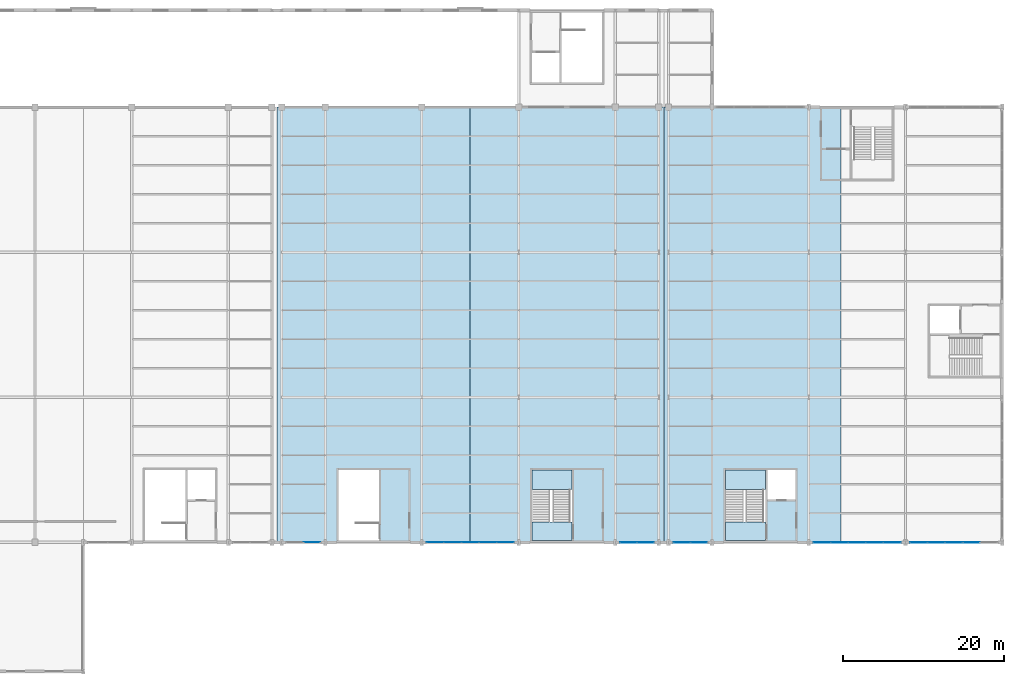
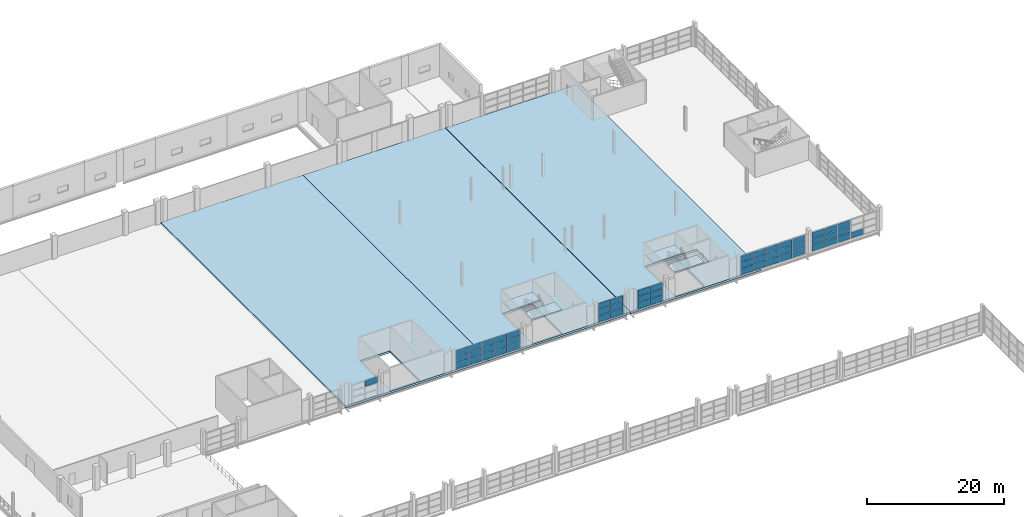
# One storey, part 127 of 147: 53 plates, 7 slabs, 8 elements without a shape of their own.
"""IFC4 building model written with IfcOpenShell, lengths in metres."""

import ifcopenshell
import ifcopenshell.guid

model = None  # the IFC model being written
_history = None  # IfcOwnerHistory: only IFC2X3 demands one
_inside = {}  # id of a spatial element -> (the spatial element, [elements in it])
_under = {}  # id of a project, library or spatial element -> (it, [spatial elements below it])
_declared = {}  # id of a project -> (the project, [libraries it declares])
_typed = {}  # id of a type object -> (the type object, [elements of that type])
_made_of = {}  # id of a material, layer set ... -> (it, [elements and type objects made of it])


def new_model(schema):
    """Start an empty IFC model of exactly this schema.

    Asked for "IFC4X3", IfcOpenShell would pick the latest addendum, in which some entities
    have other attributes; the version numbers below select the first issue.
    IFC2X3 requires an IfcOwnerHistory on every rooted entity: one is made here for all.
    """
    global model, _history
    if schema == "IFC4X3":
        model = ifcopenshell.file(schema_version=(4, 3, 0, 0))
    else:
        model = ifcopenshell.file(schema=schema)
    _inside.clear()
    _under.clear()
    _declared.clear()
    _typed.clear()
    _made_of.clear()
    _history = None
    if model.schema == "IFC2X3":
        org = make("IfcOrganization", Name="unknown")
        user = make(
            "IfcPersonAndOrganization",
            ThePerson=make("IfcPerson", FamilyName="unknown"),
            TheOrganization=org,
        )
        app = make(
            "IfcApplication",
            ApplicationDeveloper=org,
            Version="unknown",
            ApplicationFullName="unknown",
            ApplicationIdentifier="unknown",
        )
        _history = make(
            "IfcOwnerHistory",
            OwningUser=user,
            OwningApplication=app,
            ChangeAction="ADDED",
            CreationDate=0,
        )
    return model


def make(cls, **values):
    """One entity of the class cls with the attributes given. An attribute that is None is left unset."""
    return model.create_entity(
        cls, **{name: value for name, value in values.items() if value is not None}
    )


def rooted(cls, **values):
    """An entity with a GlobalId (a new one), such as an element, a storey or a relation."""
    return make(cls, GlobalId=ifcopenshell.guid.new(), OwnerHistory=_history, **values)


def si_unit(unit_type, name, prefix=None):
    """IfcSIUnit, for example si_unit("LENGTHUNIT", "METRE", prefix="MILLI")."""
    return make("IfcSIUnit", UnitType=unit_type, Prefix=prefix, Name=name)


def assignment(units):
    """IfcUnitAssignment: the units of a project."""
    return None if units is None else make("IfcUnitAssignment", Units=units)


def point(xyz):
    """IfcCartesianPoint."""
    return None if xyz is None else make("IfcCartesianPoint", Coordinates=xyz)


def direction(xyz):
    """IfcDirection."""
    return None if xyz is None else make("IfcDirection", DirectionRatios=xyz)


def frame(location, z_axis=None, x_axis=None):
    """IfcAxis2Placement3D, a coordinate frame: its origin and axes. An axis left out is left unset."""
    return make(
        "IfcAxis2Placement3D",
        Location=point(location),
        Axis=direction(z_axis),
        RefDirection=direction(x_axis),
    )


def frame_2d(location, x_axis=None):
    """IfcAxis2Placement2D, a coordinate frame in the plane: its origin and x axis."""
    return make(
        "IfcAxis2Placement2D", Location=point(location), RefDirection=direction(x_axis)
    )


def origin():
    """The frame at (0, 0, 0) with its axes left unset."""
    return frame((0.0, 0.0, 0.0))


def origin_2d():
    """The frame at (0, 0) in the plane with its x axis left unset."""
    return frame_2d((0.0, 0.0))


def place(relative_to, where):
    """IfcLocalPlacement: puts the frame where relative to a parent placement (None: the world)."""
    return make(
        "IfcLocalPlacement", PlacementRelTo=relative_to, RelativePlacement=where
    )


def context(
    kind, dimensions, precision=None, world=None, true_north=None, identifier=None
):
    """IfcGeometricRepresentationContext, for example the 3D "Model" context."""
    return make(
        "IfcGeometricRepresentationContext",
        ContextIdentifier=identifier,
        ContextType=kind,
        CoordinateSpaceDimension=dimensions,
        Precision=precision,
        WorldCoordinateSystem=world,
        TrueNorth=true_north,
    )


def subcontext(parent, identifier, kind, view, scale=None):
    """IfcGeometricRepresentationSubContext, for example "Body" below "Model"."""
    return make(
        "IfcGeometricRepresentationSubContext",
        ContextIdentifier=identifier,
        ContextType=kind,
        ParentContext=parent,
        TargetScale=scale,
        TargetView=view,
    )


def project(units=None, contexts=None):
    """IfcProject with its units and contexts."""
    return rooted(
        "IfcProject",
        Name="project",
        RepresentationContexts=contexts,
        UnitsInContext=assignment(units),
    )


def spatial(cls, under=None, at=None, **own):
    """A site, building, storey or space (cls), placed at a placement, below another one or the project."""
    s = rooted(cls, ObjectPlacement=at, **own)
    if under is not None:
        _under.setdefault(under.id(), (under, []))[1].append(s)
    return s


def polyline(points):
    """IfcPolyline through the points."""
    return make("IfcPolyline", Points=[point(p) for p in points])


def profile(cls, at=None, kind="AREA", **sizes):
    """A parametric profile (cls). Its sizes go by their IFC names, for example OverallWidth=200.0."""
    return make(cls, ProfileType=kind, Position=at, **sizes)


def rectangle(**sizes):
    """IfcRectangleProfileDef."""
    return profile("IfcRectangleProfileDef", **sizes)


def outline(outer, holes=None, kind="AREA"):
    """IfcArbitraryClosedProfileDef: a profile drawn as a closed curve; with holes, ...WithVoids."""
    if holes is None:
        return make("IfcArbitraryClosedProfileDef", ProfileType=kind, OuterCurve=outer)
    return make(
        "IfcArbitraryProfileDefWithVoids",
        ProfileType=kind,
        OuterCurve=outer,
        InnerCurves=holes,
    )


def extrude(swept, where, along, depth):
    """IfcExtrudedAreaSolid: the profile swept, set in the frame where, extruded along a direction by depth."""
    return make(
        "IfcExtrudedAreaSolid",
        SweptArea=swept,
        Position=where,
        ExtrudedDirection=direction(along),
        Depth=depth,
    )


def shape(context_of_items, identifier, shape_type, items):
    """IfcShapeRepresentation: the items that make up one representation, for example the "Body"."""
    return make(
        "IfcShapeRepresentation",
        ContextOfItems=context_of_items,
        RepresentationIdentifier=identifier,
        RepresentationType=shape_type,
        Items=items,
    )


def material(Name=None, Category=None):
    """IfcMaterial."""
    return make("IfcMaterial", Name=Name, Category=Category)


def layer(
    of_material, thickness, ventilated=None, Name=None, Category=None, Priority=None
):
    """IfcMaterialLayer: one layer of a wall or slab, of a material (None: an air gap)."""
    return make(
        "IfcMaterialLayer",
        Material=of_material,
        LayerThickness=thickness,
        IsVentilated=ventilated,
        Name=Name,
        Category=Category,
        Priority=Priority,
    )


def layer_set(layers, Name=None):
    """IfcMaterialLayerSet."""
    return make("IfcMaterialLayerSet", MaterialLayers=layers, LayerSetName=Name)


def made_of(thing, what):
    """Note that an element or type object is made of a material, layer set ...; save() writes the relation."""
    if what is not None:
        _made_of.setdefault(what.id(), (what, []))[1].append(thing)
    return thing


def type_object(cls, material=None, **own):
    """A type object (cls), such as IfcWallType, which elements share."""
    return made_of(rooted(cls, **own), material)


def element(
    cls,
    number,
    at=None,
    inside=None,
    cuts=None,
    type_object=None,
    material=None,
    context=None,
    identifier="Body",
    shape_type=None,
    held_by="IfcProductDefinitionShape",
    body=None,
    shapes=None,
    **own,
):
    """One element of the class cls, such as IfcWall. Its Tag is "e" and its number.

    at: its placement. inside: the storey or other place that contains it. cuts: it is an
    opening in that element (IfcRelVoidsElement). A single representation is given by context,
    identifier, shape_type and body (its items); several are given by shapes. held_by: the class
    of the entity that holds the representations. save() writes the other relations.
    """
    e = rooted(cls, Tag="e%d" % number, ObjectPlacement=at, **own)
    if body is not None:
        shapes = [shape(context, identifier, shape_type, body)]
    if shapes is not None:
        e.Representation = make(held_by, Representations=shapes)
    if inside is not None:
        _inside.setdefault(inside.id(), (inside, []))[1].append(e)
    if cuts is not None:
        rooted(
            "IfcRelVoidsElement", RelatingBuildingElement=cuts, RelatedOpeningElement=e
        )
    if type_object is not None:
        _typed.setdefault(type_object.id(), (type_object, []))[1].append(e)
    return made_of(e, material)


def aggregate(whole, parts):
    """IfcRelAggregates: a whole, such as a stair, and the parts it consists of."""
    return rooted("IfcRelAggregates", RelatingObject=whole, RelatedObjects=parts)


def save(model, path):
    """Write the relations noted so far, then the file.

    IfcRelAggregates (storeys below a building ...), IfcRelContainedInSpatialStructure (elements
    in a storey), IfcRelDefinesByType, IfcRelAssociatesMaterial and IfcRelDeclares: one each for
    every whole, place, type object, material and project.
    """
    for whole, parts in _under.values():
        aggregate(whole, parts)
    for where, things in _inside.values():
        rooted(
            "IfcRelContainedInSpatialStructure",
            RelatedElements=things,
            RelatingStructure=where,
        )
    for kind, things in _typed.values():
        rooted("IfcRelDefinesByType", RelatedObjects=things, RelatingType=kind)
    for what, things in _made_of.values():
        rooted("IfcRelAssociatesMaterial", RelatedObjects=things, RelatingMaterial=what)
    for by, libraries in _declared.values():
        rooted("IfcRelDeclares", RelatingContext=by, RelatedDefinitions=libraries)
    model.write(path)


model = new_model("IFC4")

# Units and contexts
model_context = context("Model", 3, precision=1e-05, world=origin(), true_north=direction((0.0, 1.0)))
body_context = subcontext(model_context, "Body", "Model", "MODEL_VIEW")
ifc_project = project(units=[si_unit("LENGTHUNIT", "METRE"), si_unit("AREAUNIT", "SQUARE_METRE"), si_unit("VOLUMEUNIT", "CUBIC_METRE"), si_unit("PLANEANGLEUNIT", "RADIAN"), si_unit("MASSUNIT", "GRAM", prefix="KILO")], contexts=[model_context])

# Site, building, storey
site_placement = place(None, origin())
site = spatial("IfcSite", under=ifc_project, at=site_placement, CompositionType="ELEMENT")
building_placement = place(site_placement, origin())
building = spatial("IfcBuilding", under=site, at=building_placement, Name="Zilviju Railside Exhibition Hall", CompositionType="ELEMENT")
storey_placement = place(building_placement, frame((0.0, 0.0, 8.39990234375)))
storey = spatial("IfcBuildingStorey", under=building, at=storey_placement, Name="L03", CompositionType="ELEMENT", Elevation=8.39990234375)

# Curtain wall, plates
ifc_material_1 = material(Name="Thermally broken aluminium-steel triple-glazed curtain wall", Category="steel")
ifc_layer_1 = layer(ifc_material_1, 0.179931640625)
ifc_layer_set_1 = layer_set([ifc_layer_1], Name="Thermally broken aluminium-steel triple-glazed curtain wall")
curtain_wall_type_1 = type_object("IfcCurtainWallType", Name="CW-BAY-01", PredefinedType="USERDEFINED", material=ifc_layer_set_1)
curtain_wall_1_placement = place(storey_placement, origin())
curtain_wall_1 = element("IfcCurtainWall", 1, at=curtain_wall_1_placement, inside=storey, type_object=curtain_wall_type_1, Name="North Hall Garden Court Curtain Wall L03 (144..156)", ObjectType="GLAZED CURTAIN WALL", PredefinedType="USERDEFINED")
ifc_material_2 = material(Name="Laminated acoustic double-glazed porch unit", Category="glass")
ifc_layer_2 = layer(ifc_material_2, 0.031982421875)
ifc_layer_set_2 = layer_set([ifc_layer_2], Name="Laminated acoustic double-glazed porch unit")
plate_type_1 = type_object("IfcPlateType", Name="CWP-IGU-32", PredefinedType="CURTAIN_PANEL", material=ifc_layer_set_2)
plate_1_placement = place(storey_placement, frame((154.344970703125, 84.0, 0.06005859375), z_axis=(0.0, 0.0, 1.0), x_axis=(-1.0, 0.0, 0.0)))
plate_1 = element("IfcPlate", 2, at=plate_1_placement, type_object=plate_type_1, Name="CW-01 panel 1.1", PredefinedType="CURTAIN_PANEL", context=body_context, shape_type="SweptSolid", body=[
    extrude(rectangle(XDim=2.090087890625, YDim=0.031982421875, at=origin_2d()), origin(), (0.0, 0.0, 1.0), 1.06005859375),
])
plate_2_placement = place(storey_placement, frame((154.344970703125, 84.0, 1.18017578125), z_axis=(0.0, 0.0, 1.0), x_axis=(-1.0, 0.0, 0.0)))
plate_2 = element("IfcPlate", 3, at=plate_2_placement, type_object=plate_type_1, Name="CW-01 panel 1.2", PredefinedType="CURTAIN_PANEL", context=body_context, shape_type="SweptSolid", body=[
    extrude(rectangle(XDim=2.090087890625, YDim=0.031982421875, at=origin_2d()), origin(), (0.0, 0.0, 1.0), 1.090087890625),
])
plate_3_placement = place(storey_placement, frame((154.344970703125, 84.0, 2.330078125), z_axis=(0.0, 0.0, 1.0), x_axis=(-1.0, 0.0, 0.0)))
plate_3 = element("IfcPlate", 4, at=plate_3_placement, type_object=plate_type_1, Name="CW-01 panel 1.3", PredefinedType="CURTAIN_PANEL", context=body_context, shape_type="SweptSolid", body=[
    extrude(rectangle(XDim=2.090087890625, YDim=0.031982421875, at=origin_2d()), origin(), (0.0, 0.0, 1.0), 1.06005859375),
])
plate_4_placement = place(storey_placement, frame((152.179931640625, 84.0, 0.06005859375), z_axis=(0.0, 0.0, 1.0), x_axis=(-1.0, 0.0, 0.0)))
plate_4 = element("IfcPlate", 5, at=plate_4_placement, type_object=plate_type_1, Name="CW-01 panel 2.1", PredefinedType="CURTAIN_PANEL", context=body_context, shape_type="SweptSolid", body=[
    extrude(rectangle(XDim=2.1201171875, YDim=0.031982421875, at=origin_2d()), origin(), (0.0, 0.0, 1.0), 1.06005859375),
])
plate_5_placement = place(storey_placement, frame((152.179931640625, 84.0, 1.18017578125), z_axis=(0.0, 0.0, 1.0), x_axis=(-1.0, 0.0, 0.0)))
plate_5 = element("IfcPlate", 6, at=plate_5_placement, type_object=plate_type_1, Name="CW-01 panel 2.2", PredefinedType="CURTAIN_PANEL", context=body_context, shape_type="SweptSolid", body=[
    extrude(rectangle(XDim=2.1201171875, YDim=0.031982421875, at=origin_2d()), origin(), (0.0, 0.0, 1.0), 1.090087890625),
])
plate_6_placement = place(storey_placement, frame((152.179931640625, 84.0, 2.330078125), z_axis=(0.0, 0.0, 1.0), x_axis=(-1.0, 0.0, 0.0)))
plate_6 = element("IfcPlate", 7, at=plate_6_placement, type_object=plate_type_1, Name="CW-01 panel 2.3", PredefinedType="CURTAIN_PANEL", context=body_context, shape_type="SweptSolid", body=[
    extrude(rectangle(XDim=2.1201171875, YDim=0.031982421875, at=origin_2d()), origin(), (0.0, 0.0, 1.0), 1.06005859375),
])
plate_7_placement = place(storey_placement, frame((150.0, 84.0, 0.06005859375), z_axis=(0.0, 0.0, 1.0), x_axis=(-1.0, 0.0, 0.0)))
plate_7 = element("IfcPlate", 8, at=plate_7_placement, type_object=plate_type_1, Name="CW-01 panel 3.1", PredefinedType="CURTAIN_PANEL", context=body_context, shape_type="SweptSolid", body=[
    extrude(rectangle(XDim=2.1201171875, YDim=0.031982421875, at=origin_2d()), origin(), (0.0, 0.0, 1.0), 1.06005859375),
])
plate_8_placement = place(storey_placement, frame((150.0, 84.0, 1.18017578125), z_axis=(0.0, 0.0, 1.0), x_axis=(-1.0, 0.0, 0.0)))
plate_8 = element("IfcPlate", 9, at=plate_8_placement, type_object=plate_type_1, Name="CW-01 panel 3.2", PredefinedType="CURTAIN_PANEL", context=body_context, shape_type="SweptSolid", body=[
    extrude(rectangle(XDim=2.1201171875, YDim=0.031982421875, at=origin_2d()), origin(), (0.0, 0.0, 1.0), 1.090087890625),
])
plate_9_placement = place(storey_placement, frame((150.0, 84.0, 2.330078125), z_axis=(0.0, 0.0, 1.0), x_axis=(-1.0, 0.0, 0.0)))
plate_9 = element("IfcPlate", 10, at=plate_9_placement, type_object=plate_type_1, Name="CW-01 panel 3.3", PredefinedType="CURTAIN_PANEL", context=body_context, shape_type="SweptSolid", body=[
    extrude(rectangle(XDim=2.1201171875, YDim=0.031982421875, at=origin_2d()), origin(), (0.0, 0.0, 1.0), 1.06005859375),
])
plate_10_placement = place(storey_placement, frame((147.820068359375, 84.0, 0.06005859375), z_axis=(0.0, 0.0, 1.0), x_axis=(-1.0, 0.0, 0.0)))
plate_10 = element("IfcPlate", 11, at=plate_10_placement, type_object=plate_type_1, Name="CW-01 panel 4.1", PredefinedType="CURTAIN_PANEL", context=body_context, shape_type="SweptSolid", body=[
    extrude(rectangle(XDim=2.1201171875, YDim=0.031982421875, at=origin_2d()), origin(), (0.0, 0.0, 1.0), 1.06005859375),
])
plate_11_placement = place(storey_placement, frame((147.820068359375, 84.0, 1.18017578125), z_axis=(0.0, 0.0, 1.0), x_axis=(-1.0, 0.0, 0.0)))
plate_11 = element("IfcPlate", 12, at=plate_11_placement, type_object=plate_type_1, Name="CW-01 panel 4.2", PredefinedType="CURTAIN_PANEL", context=body_context, shape_type="SweptSolid", body=[
    extrude(rectangle(XDim=2.1201171875, YDim=0.031982421875, at=origin_2d()), origin(), (0.0, 0.0, 1.0), 1.090087890625),
])
plate_12_placement = place(storey_placement, frame((147.820068359375, 84.0, 2.330078125), z_axis=(0.0, 0.0, 1.0), x_axis=(-1.0, 0.0, 0.0)))
plate_12 = element("IfcPlate", 13, at=plate_12_placement, type_object=plate_type_1, Name="CW-01 panel 4.3", PredefinedType="CURTAIN_PANEL", context=body_context, shape_type="SweptSolid", body=[
    extrude(rectangle(XDim=2.1201171875, YDim=0.031982421875, at=origin_2d()), origin(), (0.0, 0.0, 1.0), 1.06005859375),
])
plate_13_placement = place(storey_placement, frame((145.655029296875, 84.0, 0.06005859375), z_axis=(0.0, 0.0, 1.0), x_axis=(-1.0, 0.0, 0.0)))
plate_13 = element("IfcPlate", 14, at=plate_13_placement, type_object=plate_type_1, Name="CW-01 panel 5.1", PredefinedType="CURTAIN_PANEL", context=body_context, shape_type="SweptSolid", body=[
    extrude(rectangle(XDim=2.090087890625, YDim=0.031982421875, at=origin_2d()), origin(), (0.0, 0.0, 1.0), 1.06005859375),
])
plate_14_placement = place(storey_placement, frame((145.655029296875, 84.0, 1.18017578125), z_axis=(0.0, 0.0, 1.0), x_axis=(-1.0, 0.0, 0.0)))
plate_14 = element("IfcPlate", 15, at=plate_14_placement, type_object=plate_type_1, Name="CW-01 panel 5.2", PredefinedType="CURTAIN_PANEL", context=body_context, shape_type="SweptSolid", body=[
    extrude(rectangle(XDim=2.090087890625, YDim=0.031982421875, at=origin_2d()), origin(), (0.0, 0.0, 1.0), 1.090087890625),
])
plate_15_placement = place(storey_placement, frame((145.655029296875, 84.0, 2.330078125), z_axis=(0.0, 0.0, 1.0), x_axis=(-1.0, 0.0, 0.0)))
plate_15 = element("IfcPlate", 16, at=plate_15_placement, type_object=plate_type_1, Name="CW-01 panel 5.3", PredefinedType="CURTAIN_PANEL", context=body_context, shape_type="SweptSolid", body=[
    extrude(rectangle(XDim=2.090087890625, YDim=0.031982421875, at=origin_2d()), origin(), (0.0, 0.0, 1.0), 1.06005859375),
])
aggregate(curtain_wall_1, [plate_1, plate_2, plate_3, plate_4, plate_5, plate_6, plate_7, plate_8, plate_9, plate_10, plate_11, plate_12, plate_13, plate_14, plate_15])

# Curtain wall, plate
ifc_layer_3 = layer(ifc_material_1, 0.179931640625)
ifc_layer_set_3 = layer_set([ifc_layer_3], Name="Thermally broken aluminium-steel triple-glazed curtain wall")
curtain_wall_type_2 = type_object("IfcCurtainWallType", Name="CW-BAY-20", PredefinedType="USERDEFINED", material=ifc_layer_set_3)
curtain_wall_2_placement = place(storey_placement, origin())
curtain_wall_2 = element("IfcCurtainWall", 17, at=curtain_wall_2_placement, inside=storey, type_object=curtain_wall_type_2, Name="North Hall Garden Court Curtain Wall L03 (127..132)", ObjectType="GLAZED CURTAIN WALL", PredefinedType="USERDEFINED")
ifc_material_3 = material(Name="Triple-glazed solar-control glass unit", Category="glass")
ifc_layer_4 = layer(ifc_material_3, 0.0380859375)
ifc_layer_set_4 = layer_set([ifc_layer_4], Name="Triple-glazed solar-control glass unit")
plate_type_2 = type_object("IfcPlateType", Name="CWP-IGU-38", PredefinedType="CURTAIN_PANEL", material=ifc_layer_set_4)
plate_16_placement = place(storey_placement, frame((130.358642578125, 84.0, 2.33251953125), z_axis=(0.0, 0.0, 1.0), x_axis=(-1.0, 0.0, 0.0)))
plate_16 = element("IfcPlate", 18, at=plate_16_placement, type_object=plate_type_2, Name="CW-20 panel 1.3", PredefinedType="CURTAIN_PANEL", context=body_context, shape_type="SweptSolid", body=[
    extrude(rectangle(XDim=2.052490234375, YDim=0.0380859375, at=origin_2d()), origin(), (0.0, 0.0, 1.0), 1.052490234375),
])
aggregate(curtain_wall_2, [plate_16])

# Curtain wall, plates
ifc_layer_5 = layer(ifc_material_1, 0.179931640625)
ifc_layer_set_5 = layer_set([ifc_layer_5], Name="Thermally broken aluminium-steel triple-glazed curtain wall")
curtain_wall_type_3 = type_object("IfcCurtainWallType", Name="CW-BAY-04", PredefinedType="USERDEFINED", material=ifc_layer_set_5)
curtain_wall_3_placement = place(storey_placement, origin())
curtain_wall_3 = element("IfcCurtainWall", 19, at=curtain_wall_3_placement, inside=storey, type_object=curtain_wall_type_3, Name="North Hall Garden Court Curtain Wall L03 (192..204)", ObjectType="GLAZED CURTAIN WALL", PredefinedType="USERDEFINED")
ifc_material_4 = material(Name="Triple-glazed low-E argon insulating glass unit", Category="glass")
ifc_layer_6 = layer(ifc_material_4, 0.0439453125)
ifc_layer_set_6 = layer_set([ifc_layer_6], Name="Triple-glazed low-E argon insulating glass unit")
plate_type_3 = type_object("IfcPlateType", Name="CWP-IGU-44", PredefinedType="CURTAIN_PANEL", material=ifc_layer_set_6)
plate_17_placement = place(storey_placement, frame((202.34619140625, 84.0, 0.05517578125), z_axis=(0.0, 0.0, 1.0), x_axis=(-1.0, 0.0, 0.0)))
plate_17 = element("IfcPlate", 20, at=plate_17_placement, type_object=plate_type_3, Name="CW-04 panel 1.1", PredefinedType="CURTAIN_PANEL", context=body_context, shape_type="SweptSolid", body=[
    extrude(rectangle(XDim=2.097412109375, YDim=0.0439453125, at=origin_2d()), origin(), (0.0, 0.0, 1.0), 1.0673828125),
])
plate_18_placement = place(storey_placement, frame((202.34619140625, 84.0, 1.177734375), z_axis=(0.0, 0.0, 1.0), x_axis=(-1.0, 0.0, 0.0)))
plate_18 = element("IfcPlate", 21, at=plate_18_placement, type_object=plate_type_3, Name="CW-04 panel 1.2", PredefinedType="CURTAIN_PANEL", context=body_context, shape_type="SweptSolid", body=[
    extrude(rectangle(XDim=2.097412109375, YDim=0.0439453125, at=origin_2d()), origin(), (0.0, 0.0, 1.0), 1.094970703125),
])
plate_19_placement = place(storey_placement, frame((202.34619140625, 84.0, 2.32763671875), z_axis=(0.0, 0.0, 1.0), x_axis=(-1.0, 0.0, 0.0)))
plate_19 = element("IfcPlate", 22, at=plate_19_placement, type_object=plate_type_3, Name="CW-04 panel 1.3", PredefinedType="CURTAIN_PANEL", context=body_context, shape_type="SweptSolid", body=[
    extrude(rectangle(XDim=2.097412109375, YDim=0.0439453125, at=origin_2d()), origin(), (0.0, 0.0, 1.0), 1.0673828125),
])
plate_20_placement = place(storey_placement, frame((200.179931640625, 84.0, 0.05517578125), z_axis=(0.0, 0.0, 1.0), x_axis=(-1.0, 0.0, 0.0)))
plate_20 = element("IfcPlate", 23, at=plate_20_placement, type_object=plate_type_3, Name="CW-04 panel 2.1", PredefinedType="CURTAIN_PANEL", context=body_context, shape_type="SweptSolid", body=[
    extrude(rectangle(XDim=2.125, YDim=0.0439453125, at=origin_2d()), origin(), (0.0, 0.0, 1.0), 1.0673828125),
])
plate_21_placement = place(storey_placement, frame((200.179931640625, 84.0, 1.177734375), z_axis=(0.0, 0.0, 1.0), x_axis=(-1.0, 0.0, 0.0)))
plate_21 = element("IfcPlate", 24, at=plate_21_placement, type_object=plate_type_3, Name="CW-04 panel 2.2", PredefinedType="CURTAIN_PANEL", context=body_context, shape_type="SweptSolid", body=[
    extrude(rectangle(XDim=2.125, YDim=0.0439453125, at=origin_2d()), origin(), (0.0, 0.0, 1.0), 1.094970703125),
])
plate_22_placement = place(storey_placement, frame((200.179931640625, 84.0, 2.32763671875), z_axis=(0.0, 0.0, 1.0), x_axis=(-1.0, 0.0, 0.0)))
plate_22 = element("IfcPlate", 25, at=plate_22_placement, type_object=plate_type_3, Name="CW-04 panel 2.3", PredefinedType="CURTAIN_PANEL", context=body_context, shape_type="SweptSolid", body=[
    extrude(rectangle(XDim=2.125, YDim=0.0439453125, at=origin_2d()), origin(), (0.0, 0.0, 1.0), 1.0673828125),
])
plate_23_placement = place(storey_placement, frame((198.0, 84.0, 0.05517578125), z_axis=(0.0, 0.0, 1.0), x_axis=(-1.0, 0.0, 0.0)))
plate_23 = element("IfcPlate", 26, at=plate_23_placement, type_object=plate_type_3, Name="CW-04 panel 3.1", PredefinedType="CURTAIN_PANEL", context=body_context, shape_type="SweptSolid", body=[
    extrude(rectangle(XDim=2.125, YDim=0.0439453125, at=origin_2d()), origin(), (0.0, 0.0, 1.0), 1.0673828125),
])
plate_24_placement = place(storey_placement, frame((198.0, 84.0, 1.177734375), z_axis=(0.0, 0.0, 1.0), x_axis=(-1.0, 0.0, 0.0)))
plate_24 = element("IfcPlate", 27, at=plate_24_placement, type_object=plate_type_3, Name="CW-04 panel 3.2", PredefinedType="CURTAIN_PANEL", context=body_context, shape_type="SweptSolid", body=[
    extrude(rectangle(XDim=2.125, YDim=0.0439453125, at=origin_2d()), origin(), (0.0, 0.0, 1.0), 1.094970703125),
])
plate_25_placement = place(storey_placement, frame((198.0, 84.0, 2.32763671875), z_axis=(0.0, 0.0, 1.0), x_axis=(-1.0, 0.0, 0.0)))
plate_25 = element("IfcPlate", 28, at=plate_25_placement, type_object=plate_type_3, Name="CW-04 panel 3.3", PredefinedType="CURTAIN_PANEL", context=body_context, shape_type="SweptSolid", body=[
    extrude(rectangle(XDim=2.125, YDim=0.0439453125, at=origin_2d()), origin(), (0.0, 0.0, 1.0), 1.0673828125),
])
plate_26_placement = place(storey_placement, frame((195.820068359375, 84.0, 0.05517578125), z_axis=(0.0, 0.0, 1.0), x_axis=(-1.0, 0.0, 0.0)))
plate_26 = element("IfcPlate", 29, at=plate_26_placement, type_object=plate_type_3, Name="CW-04 panel 4.1", PredefinedType="CURTAIN_PANEL", context=body_context, shape_type="SweptSolid", body=[
    extrude(rectangle(XDim=2.125, YDim=0.0439453125, at=origin_2d()), origin(), (0.0, 0.0, 1.0), 1.0673828125),
])
plate_27_placement = place(storey_placement, frame((195.820068359375, 84.0, 1.177734375), z_axis=(0.0, 0.0, 1.0), x_axis=(-1.0, 0.0, 0.0)))
plate_27 = element("IfcPlate", 30, at=plate_27_placement, type_object=plate_type_3, Name="CW-04 panel 4.2", PredefinedType="CURTAIN_PANEL", context=body_context, shape_type="SweptSolid", body=[
    extrude(rectangle(XDim=2.125, YDim=0.0439453125, at=origin_2d()), origin(), (0.0, 0.0, 1.0), 1.094970703125),
])
plate_28_placement = place(storey_placement, frame((195.820068359375, 84.0, 2.32763671875), z_axis=(0.0, 0.0, 1.0), x_axis=(-1.0, 0.0, 0.0)))
plate_28 = element("IfcPlate", 31, at=plate_28_placement, type_object=plate_type_3, Name="CW-04 panel 4.3", PredefinedType="CURTAIN_PANEL", context=body_context, shape_type="SweptSolid", body=[
    extrude(rectangle(XDim=2.125, YDim=0.0439453125, at=origin_2d()), origin(), (0.0, 0.0, 1.0), 1.0673828125),
])
plate_29_placement = place(storey_placement, frame((193.65380859375, 84.0, 0.05517578125), z_axis=(0.0, 0.0, 1.0), x_axis=(-1.0, 0.0, 0.0)))
plate_29 = element("IfcPlate", 32, at=plate_29_placement, type_object=plate_type_3, Name="CW-04 panel 5.1", PredefinedType="CURTAIN_PANEL", context=body_context, shape_type="SweptSolid", body=[
    extrude(rectangle(XDim=2.097412109375, YDim=0.0439453125, at=origin_2d()), origin(), (0.0, 0.0, 1.0), 1.0673828125),
])
plate_30_placement = place(storey_placement, frame((193.65380859375, 84.0, 1.177734375), z_axis=(0.0, 0.0, 1.0), x_axis=(-1.0, 0.0, 0.0)))
plate_30 = element("IfcPlate", 33, at=plate_30_placement, type_object=plate_type_3, Name="CW-04 panel 5.2", PredefinedType="CURTAIN_PANEL", context=body_context, shape_type="SweptSolid", body=[
    extrude(rectangle(XDim=2.097412109375, YDim=0.0439453125, at=origin_2d()), origin(), (0.0, 0.0, 1.0), 1.094970703125),
])
plate_31_placement = place(storey_placement, frame((193.65380859375, 84.0, 2.32763671875), z_axis=(0.0, 0.0, 1.0), x_axis=(-1.0, 0.0, 0.0)))
plate_31 = element("IfcPlate", 34, at=plate_31_placement, type_object=plate_type_3, Name="CW-04 panel 5.3", PredefinedType="CURTAIN_PANEL", context=body_context, shape_type="SweptSolid", body=[
    extrude(rectangle(XDim=2.097412109375, YDim=0.0439453125, at=origin_2d()), origin(), (0.0, 0.0, 1.0), 1.0673828125),
])
aggregate(curtain_wall_3, [plate_17, plate_18, plate_19, plate_20, plate_21, plate_22, plate_23, plate_24, plate_25, plate_26, plate_27, plate_28, plate_29, plate_30, plate_31])

ifc_layer_7 = layer(ifc_material_1, 0.179931640625)
ifc_layer_set_7 = layer_set([ifc_layer_7], Name="Thermally broken aluminium-steel triple-glazed curtain wall")
curtain_wall_type_4 = type_object("IfcCurtainWallType", Name="CW-BAY-05", PredefinedType="USERDEFINED", material=ifc_layer_set_7)
curtain_wall_4_placement = place(storey_placement, origin())
curtain_wall_4 = element("IfcCurtainWall", 35, at=curtain_wall_4_placement, inside=storey, type_object=curtain_wall_type_4, Name="North Hall Garden Court Curtain Wall L03 (204..216)", ObjectType="GLAZED CURTAIN WALL", PredefinedType="USERDEFINED")
plate_32_placement = place(storey_placement, frame((212.179931640625, 84.0, 0.070068359375), z_axis=(0.0, 0.0, 1.0), x_axis=(-1.0, 0.0, 0.0)))
plate_32 = element("IfcPlate", 36, at=plate_32_placement, type_object=plate_type_3, Name="CW-05 panel 2.1", PredefinedType="CURTAIN_PANEL", context=body_context, shape_type="SweptSolid", body=[
    extrude(rectangle(XDim=2.110107421875, YDim=0.0439453125, at=origin_2d()), origin(), (0.0, 0.0, 1.0), 1.044921875),
])
plate_33_placement = place(storey_placement, frame((210.0, 84.0, 0.070068359375), z_axis=(0.0, 0.0, 1.0), x_axis=(-1.0, 0.0, 0.0)))
plate_33 = element("IfcPlate", 37, at=plate_33_placement, type_object=plate_type_3, Name="CW-05 panel 3.1", PredefinedType="CURTAIN_PANEL", context=body_context, shape_type="SweptSolid", body=[
    extrude(rectangle(XDim=2.110107421875, YDim=0.0439453125, at=origin_2d()), origin(), (0.0, 0.0, 1.0), 1.044921875),
])
plate_34_placement = place(storey_placement, frame((210.0, 84.0, 1.18505859375), z_axis=(0.0, 0.0, 1.0), x_axis=(-1.0, 0.0, 0.0)))
plate_34 = element("IfcPlate", 38, at=plate_34_placement, type_object=plate_type_3, Name="CW-05 panel 3.2", PredefinedType="CURTAIN_PANEL", context=body_context, shape_type="SweptSolid", body=[
    extrude(rectangle(XDim=2.110107421875, YDim=0.0439453125, at=origin_2d()), origin(), (0.0, 0.0, 1.0), 1.080078125),
])
plate_35_placement = place(storey_placement, frame((210.0, 84.0, 2.335205078125), z_axis=(0.0, 0.0, 1.0), x_axis=(-1.0, 0.0, 0.0)))
plate_35 = element("IfcPlate", 39, at=plate_35_placement, type_object=plate_type_3, Name="CW-05 panel 3.3", PredefinedType="CURTAIN_PANEL", context=body_context, shape_type="SweptSolid", body=[
    extrude(rectangle(XDim=2.110107421875, YDim=0.0439453125, at=origin_2d()), origin(), (0.0, 0.0, 1.0), 1.044921875),
])
plate_36_placement = place(storey_placement, frame((207.820068359375, 84.0, 0.070068359375), z_axis=(0.0, 0.0, 1.0), x_axis=(-1.0, 0.0, 0.0)))
plate_36 = element("IfcPlate", 40, at=plate_36_placement, type_object=plate_type_3, Name="CW-05 panel 4.1", PredefinedType="CURTAIN_PANEL", context=body_context, shape_type="SweptSolid", body=[
    extrude(rectangle(XDim=2.110107421875, YDim=0.0439453125, at=origin_2d()), origin(), (0.0, 0.0, 1.0), 1.044921875),
])
plate_37_placement = place(storey_placement, frame((207.820068359375, 84.0, 1.18505859375), z_axis=(0.0, 0.0, 1.0), x_axis=(-1.0, 0.0, 0.0)))
plate_37 = element("IfcPlate", 41, at=plate_37_placement, type_object=plate_type_3, Name="CW-05 panel 4.2", PredefinedType="CURTAIN_PANEL", context=body_context, shape_type="SweptSolid", body=[
    extrude(rectangle(XDim=2.110107421875, YDim=0.0439453125, at=origin_2d()), origin(), (0.0, 0.0, 1.0), 1.080078125),
])
plate_38_placement = place(storey_placement, frame((207.820068359375, 84.0, 2.335205078125), z_axis=(0.0, 0.0, 1.0), x_axis=(-1.0, 0.0, 0.0)))
plate_38 = element("IfcPlate", 42, at=plate_38_placement, type_object=plate_type_3, Name="CW-05 panel 4.3", PredefinedType="CURTAIN_PANEL", context=body_context, shape_type="SweptSolid", body=[
    extrude(rectangle(XDim=2.110107421875, YDim=0.0439453125, at=origin_2d()), origin(), (0.0, 0.0, 1.0), 1.044921875),
])
plate_39_placement = place(storey_placement, frame((205.657470703125, 84.0, 0.070068359375), z_axis=(0.0, 0.0, 1.0), x_axis=(-1.0, 0.0, 0.0)))
plate_39 = element("IfcPlate", 43, at=plate_39_placement, type_object=plate_type_3, Name="CW-05 panel 5.1", PredefinedType="CURTAIN_PANEL", context=body_context, shape_type="SweptSolid", body=[
    extrude(rectangle(XDim=2.074951171875, YDim=0.0439453125, at=origin_2d()), origin(), (0.0, 0.0, 1.0), 1.044921875),
])
plate_40_placement = place(storey_placement, frame((205.657470703125, 84.0, 1.18505859375), z_axis=(0.0, 0.0, 1.0), x_axis=(-1.0, 0.0, 0.0)))
plate_40 = element("IfcPlate", 44, at=plate_40_placement, type_object=plate_type_3, Name="CW-05 panel 5.2", PredefinedType="CURTAIN_PANEL", context=body_context, shape_type="SweptSolid", body=[
    extrude(rectangle(XDim=2.074951171875, YDim=0.0439453125, at=origin_2d()), origin(), (0.0, 0.0, 1.0), 1.080078125),
])
plate_41_placement = place(storey_placement, frame((205.657470703125, 84.0, 2.335205078125), z_axis=(0.0, 0.0, 1.0), x_axis=(-1.0, 0.0, 0.0)))
plate_41 = element("IfcPlate", 45, at=plate_41_placement, type_object=plate_type_3, Name="CW-05 panel 5.3", PredefinedType="CURTAIN_PANEL", context=body_context, shape_type="SweptSolid", body=[
    extrude(rectangle(XDim=2.074951171875, YDim=0.0439453125, at=origin_2d()), origin(), (0.0, 0.0, 1.0), 1.044921875),
])
aggregate(curtain_wall_4, [plate_32, plate_33, plate_34, plate_35, plate_36, plate_37, plate_38, plate_39, plate_40, plate_41])

ifc_layer_8 = layer(ifc_material_1, 0.179931640625)
ifc_layer_set_8 = layer_set([ifc_layer_8], Name="Thermally broken aluminium-steel triple-glazed curtain wall")
curtain_wall_type_5 = type_object("IfcCurtainWallType", Name="CW-BAY-02", PredefinedType="USERDEFINED", material=ifc_layer_set_8)
curtain_wall_5_placement = place(storey_placement, origin())
curtain_wall_5 = element("IfcCurtainWall", 46, at=curtain_wall_5_placement, inside=storey, type_object=curtain_wall_type_5, Name="North Hall Garden Court Curtain Wall L03 (168..173)", ObjectType="GLAZED CURTAIN WALL", PredefinedType="USERDEFINED")
ifc_material_5 = material(Name="Insulated cobalt-blue enamelled spandrel glass panel", Category="glass")
ifc_layer_9 = layer(ifc_material_5, 0.052001953125)
ifc_layer_set_9 = layer_set([ifc_layer_9], Name="Insulated cobalt-blue enamelled spandrel glass panel")
plate_type_4 = type_object("IfcPlateType", Name="CWP-SPD-52", PredefinedType="CURTAIN_PANEL", material=ifc_layer_set_9)
plate_42_placement = place(storey_placement, frame((171.7548828125, 84.0, 0.080078125), z_axis=(0.0, 0.0, 1.0), x_axis=(-1.0, 0.0, 0.0)))
plate_42 = element("IfcPlate", 47, at=plate_42_placement, type_object=plate_type_4, Name="CW-02 panel 1.1", PredefinedType="CURTAIN_PANEL", context=body_context, shape_type="SweptSolid", body=[
    extrude(rectangle(XDim=2.030029296875, YDim=0.052001953125, at=origin_2d()), origin(), (0.0, 0.0, 1.0), 1.030029296875),
])
plate_43_placement = place(storey_placement, frame((171.7548828125, 84.0, 1.18994140625), z_axis=(0.0, 0.0, 1.0), x_axis=(-1.0, 0.0, 0.0)))
plate_43 = element("IfcPlate", 48, at=plate_43_placement, type_object=plate_type_4, Name="CW-02 panel 1.2", PredefinedType="CURTAIN_PANEL", context=body_context, shape_type="SweptSolid", body=[
    extrude(rectangle(XDim=2.030029296875, YDim=0.052001953125, at=origin_2d()), origin(), (0.0, 0.0, 1.0), 1.070068359375),
])
plate_44_placement = place(storey_placement, frame((171.7548828125, 84.0, 2.33984375), z_axis=(0.0, 0.0, 1.0), x_axis=(-1.0, 0.0, 0.0)))
plate_44 = element("IfcPlate", 49, at=plate_44_placement, type_object=plate_type_4, Name="CW-02 panel 1.3", PredefinedType="CURTAIN_PANEL", context=body_context, shape_type="SweptSolid", body=[
    extrude(rectangle(XDim=2.030029296875, YDim=0.052001953125, at=origin_2d()), origin(), (0.0, 0.0, 1.0), 1.030029296875),
])
plate_45_placement = place(storey_placement, frame((169.64501953125, 84.0, 0.080078125), z_axis=(0.0, 0.0, 1.0), x_axis=(-1.0, 0.0, 0.0)))
plate_45 = element("IfcPlate", 50, at=plate_45_placement, type_object=plate_type_4, Name="CW-02 panel 2.1", PredefinedType="CURTAIN_PANEL", context=body_context, shape_type="SweptSolid", body=[
    extrude(rectangle(XDim=2.030029296875, YDim=0.052001953125, at=origin_2d()), origin(), (0.0, 0.0, 1.0), 1.030029296875),
])
plate_46_placement = place(storey_placement, frame((169.64501953125, 84.0, 1.18994140625), z_axis=(0.0, 0.0, 1.0), x_axis=(-1.0, 0.0, 0.0)))
plate_46 = element("IfcPlate", 51, at=plate_46_placement, type_object=plate_type_4, Name="CW-02 panel 2.2", PredefinedType="CURTAIN_PANEL", context=body_context, shape_type="SweptSolid", body=[
    extrude(rectangle(XDim=2.030029296875, YDim=0.052001953125, at=origin_2d()), origin(), (0.0, 0.0, 1.0), 1.070068359375),
])
plate_47_placement = place(storey_placement, frame((169.64501953125, 84.0, 2.33984375), z_axis=(0.0, 0.0, 1.0), x_axis=(-1.0, 0.0, 0.0)))
plate_47 = element("IfcPlate", 52, at=plate_47_placement, type_object=plate_type_4, Name="CW-02 panel 2.3", PredefinedType="CURTAIN_PANEL", context=body_context, shape_type="SweptSolid", body=[
    extrude(rectangle(XDim=2.030029296875, YDim=0.052001953125, at=origin_2d()), origin(), (0.0, 0.0, 1.0), 1.030029296875),
])
aggregate(curtain_wall_5, [plate_42, plate_43, plate_44, plate_45, plate_46, plate_47])

ifc_layer_10 = layer(ifc_material_1, 0.179931640625)
ifc_layer_set_10 = layer_set([ifc_layer_10], Name="Thermally broken aluminium-steel triple-glazed curtain wall")
curtain_wall_type_6 = type_object("IfcCurtainWallType", Name="CW-BAY-03", PredefinedType="USERDEFINED", material=ifc_layer_set_10)
curtain_wall_6_placement = place(storey_placement, origin())
curtain_wall_6 = element("IfcCurtainWall", 53, at=curtain_wall_6_placement, inside=storey, type_object=curtain_wall_type_6, Name="North Hall Garden Court Curtain Wall L03 (175..180)", ObjectType="GLAZED CURTAIN WALL", PredefinedType="USERDEFINED")
ifc_material_6 = material(Name="Insulated emerald ceramic-frit spandrel panel", Category="glass")
ifc_layer_11 = layer(ifc_material_6, 0.06396484375)
ifc_layer_set_11 = layer_set([ifc_layer_11], Name="Insulated emerald ceramic-frit spandrel panel")
plate_type_5 = type_object("IfcPlateType", Name="CWP-SPD-64", PredefinedType="CURTAIN_PANEL", material=ifc_layer_set_11)
plate_48_placement = place(storey_placement, frame((178.356201171875, 84.0, 0.074951171875), z_axis=(0.0, 0.0, 1.0), x_axis=(-1.0, 0.0, 0.0)))
plate_48 = element("IfcPlate", 54, at=plate_48_placement, type_object=plate_type_5, Name="CW-03 panel 1.1", PredefinedType="CURTAIN_PANEL", context=body_context, shape_type="SweptSolid", body=[
    extrude(rectangle(XDim=2.03759765625, YDim=0.06396484375, at=origin_2d()), origin(), (0.0, 0.0, 1.0), 1.03759765625),
])
plate_49_placement = place(storey_placement, frame((178.356201171875, 84.0, 1.1875), z_axis=(0.0, 0.0, 1.0), x_axis=(-1.0, 0.0, 0.0)))
plate_49 = element("IfcPlate", 55, at=plate_49_placement, type_object=plate_type_5, Name="CW-03 panel 1.2", PredefinedType="CURTAIN_PANEL", context=body_context, shape_type="SweptSolid", body=[
    extrude(rectangle(XDim=2.03759765625, YDim=0.06396484375, at=origin_2d()), origin(), (0.0, 0.0, 1.0), 1.074951171875),
])
plate_50_placement = place(storey_placement, frame((178.356201171875, 84.0, 2.337646484375), z_axis=(0.0, 0.0, 1.0), x_axis=(-1.0, 0.0, 0.0)))
plate_50 = element("IfcPlate", 56, at=plate_50_placement, type_object=plate_type_5, Name="CW-03 panel 1.3", PredefinedType="CURTAIN_PANEL", context=body_context, shape_type="SweptSolid", body=[
    extrude(rectangle(XDim=2.03759765625, YDim=0.06396484375, at=origin_2d()), origin(), (0.0, 0.0, 1.0), 1.03759765625),
])
plate_51_placement = place(storey_placement, frame((176.24365234375, 84.0, 0.074951171875), z_axis=(0.0, 0.0, 1.0), x_axis=(-1.0, 0.0, 0.0)))
plate_51 = element("IfcPlate", 57, at=plate_51_placement, type_object=plate_type_5, Name="CW-03 panel 2.1", PredefinedType="CURTAIN_PANEL", context=body_context, shape_type="SweptSolid", body=[
    extrude(rectangle(XDim=2.03759765625, YDim=0.06396484375, at=origin_2d()), origin(), (0.0, 0.0, 1.0), 1.03759765625),
])
plate_52_placement = place(storey_placement, frame((176.24365234375, 84.0, 1.1875), z_axis=(0.0, 0.0, 1.0), x_axis=(-1.0, 0.0, 0.0)))
plate_52 = element("IfcPlate", 58, at=plate_52_placement, type_object=plate_type_5, Name="CW-03 panel 2.2", PredefinedType="CURTAIN_PANEL", context=body_context, shape_type="SweptSolid", body=[
    extrude(rectangle(XDim=2.03759765625, YDim=0.06396484375, at=origin_2d()), origin(), (0.0, 0.0, 1.0), 1.074951171875),
])
plate_53_placement = place(storey_placement, frame((176.24365234375, 84.0, 2.337646484375), z_axis=(0.0, 0.0, 1.0), x_axis=(-1.0, 0.0, 0.0)))
plate_53 = element("IfcPlate", 59, at=plate_53_placement, type_object=plate_type_5, Name="CW-03 panel 2.3", PredefinedType="CURTAIN_PANEL", context=body_context, shape_type="SweptSolid", body=[
    extrude(rectangle(XDim=2.03759765625, YDim=0.06396484375, at=origin_2d()), origin(), (0.0, 0.0, 1.0), 1.03759765625),
])
aggregate(curtain_wall_6, [plate_48, plate_49, plate_50, plate_51, plate_52, plate_53])

# Slabs
ifc_material_7 = material(Name="Concrete C40/50", Category="concrete")
ifc_layer_12 = layer(ifc_material_7, 0.3798828125)
ifc_layer_set_12 = layer_set([ifc_layer_12], Name="Concrete C40/50")
slab_type_1 = type_object("IfcSlabType", Name="SL-FLR-380", PredefinedType="FLOOR", material=ifc_layer_set_12)
slab_1_placement = place(storey_placement, frame((0.0, 0.0, -0.3798828125)))
element("IfcSlab", 60, at=slab_1_placement, inside=storey, type_object=slab_type_1, Name="North Stacked Hall L03 Exhibition Deck 3", PredefinedType="FLOOR", context=body_context, shape_type="SweptSolid", body=[
    extrude(outline(polyline([(126.030029296875, 84.0), (150.0, 84.0), (150.0, 138.0), (126.030029296875, 138.0), (126.030029296875, 84.0)]), holes=[polyline([(133.64990234375, 84.25), (138.64990234375, 84.25), (138.64990234375, 92.949951171875), (133.64990234375, 92.949951171875), (133.64990234375, 84.25)])]), origin(), (0.0, 0.0, 1.0), 0.3798828125),
])
slab_2_placement = place(storey_placement, frame((0.0, 0.0, -0.3798828125)))
element("IfcSlab", 61, at=slab_2_placement, inside=storey, type_object=slab_type_1, Name="North Stacked Hall L03 Exhibition Deck 4", PredefinedType="FLOOR", context=body_context, shape_type="SweptSolid", body=[
    extrude(outline(polyline([(150.0, 84.0), (173.969970703125, 84.0), (173.969970703125, 138.0), (150.0, 138.0), (150.0, 84.0)]), holes=[polyline([(157.64990234375, 84.25), (162.64990234375, 84.25), (162.64990234375, 92.949951171875), (157.64990234375, 92.949951171875), (157.64990234375, 84.25)])]), origin(), (0.0, 0.0, 1.0), 0.3798828125),
])
slab_3_placement = place(storey_placement, frame((0.0, 0.0, -0.3798828125)))
element("IfcSlab", 62, at=slab_3_placement, inside=storey, type_object=slab_type_1, Name="North Stacked Hall L03 Exhibition Deck 5", PredefinedType="FLOOR", context=body_context, shape_type="SweptSolid", body=[
    extrude(outline(polyline([(174.030029296875, 84.0), (196.0, 84.0), (196.0, 138.0), (174.030029296875, 138.0), (174.030029296875, 84.0)]), holes=[polyline([(181.64990234375, 84.25), (186.64990234375, 84.25), (186.64990234375, 92.949951171875), (181.64990234375, 92.949951171875), (181.64990234375, 84.25)]), polyline([(186.89990234375, 89.300048828125), (190.35009765625, 89.300048828125), (190.35009765625, 92.949951171875), (186.89990234375, 92.949951171875), (186.89990234375, 89.300048828125)])]), origin(), (0.0, 0.0, 1.0), 0.3798828125),
])

# Stair, slabs
ifc_material_8 = material(Name="Concrete C35/45", Category="concrete")
stair_type_1 = type_object("IfcStairType", Name="STAIR-ST-C", PredefinedType="HALF_TURN_STAIR", material=ifc_material_8)
stair_1_placement = place(storey_placement, origin())
stair_1 = element("IfcStair", 63, at=stair_1_placement, inside=storey, type_object=stair_type_1, Name="Core C06 North Hall Court MidE Exit Stair L03", PredefinedType="HALF_TURN_STAIR")
ifc_layer_13 = layer(ifc_material_8, 0.199951171875)
ifc_layer_set_13 = layer_set([ifc_layer_13], Name="Concrete C35/45")
slab_type_2 = type_object("IfcSlabType", Name="SL-LAND-200", PredefinedType="LANDING", material=ifc_layer_set_13)
slab_4_placement = place(storey_placement, frame((0.0, 0.0, 1.900146484375)))
slab_4 = element("IfcSlab", 64, at=slab_4_placement, type_object=slab_type_2, Name="ST-06 landing 1", PredefinedType="LANDING", context=body_context, shape_type="SweptSolid", body=[
    extrude(outline(polyline([(157.64990234375, 90.530029296875), (162.64990234375, 90.530029296875), (162.64990234375, 92.949951171875), (157.64990234375, 92.949951171875), (157.64990234375, 90.530029296875)])), origin(), (0.0, 0.0, 1.0), 0.199951171875),
])
slab_5_placement = place(storey_placement, frame((0.0, 0.0, 4.0)))
slab_5 = element("IfcSlab", 65, at=slab_5_placement, type_object=slab_type_2, Name="ST-06 landing 2", PredefinedType="LANDING", context=body_context, shape_type="SweptSolid", body=[
    extrude(outline(polyline([(157.64990234375, 84.25), (162.64990234375, 84.25), (162.64990234375, 86.5), (157.64990234375, 86.5), (157.64990234375, 84.25)])), origin(), (0.0, 0.0, 1.0), 0.2001953125),
])
aggregate(stair_1, [slab_4, slab_5])

stair_type_2 = type_object("IfcStairType", Name="STAIR-ST-A", PredefinedType="HALF_TURN_STAIR", material=ifc_material_8)
stair_2_placement = place(storey_placement, origin())
stair_2 = element("IfcStair", 66, at=stair_2_placement, inside=storey, type_object=stair_type_2, Name="Core C07 North Hall Court East Exit Stair L03", PredefinedType="HALF_TURN_STAIR")
slab_6_placement = place(storey_placement, frame((0.0, 0.0, 1.900146484375)))
slab_6 = element("IfcSlab", 67, at=slab_6_placement, type_object=slab_type_2, Name="ST-07 landing 1", PredefinedType="LANDING", context=body_context, shape_type="SweptSolid", body=[
    extrude(outline(polyline([(181.64990234375, 90.530029296875), (186.64990234375, 90.530029296875), (186.64990234375, 92.949951171875), (181.64990234375, 92.949951171875), (181.64990234375, 90.530029296875)])), origin(), (0.0, 0.0, 1.0), 0.199951171875),
])
slab_7_placement = place(storey_placement, frame((0.0, 0.0, 4.0)))
slab_7 = element("IfcSlab", 68, at=slab_7_placement, type_object=slab_type_2, Name="ST-07 landing 2", PredefinedType="LANDING", context=body_context, shape_type="SweptSolid", body=[
    extrude(outline(polyline([(181.64990234375, 84.25), (186.64990234375, 84.25), (186.64990234375, 86.5), (181.64990234375, 86.5), (181.64990234375, 84.25)])), origin(), (0.0, 0.0, 1.0), 0.2001953125),
])
aggregate(stair_2, [slab_6, slab_7])

save(model, "model.ifc")
